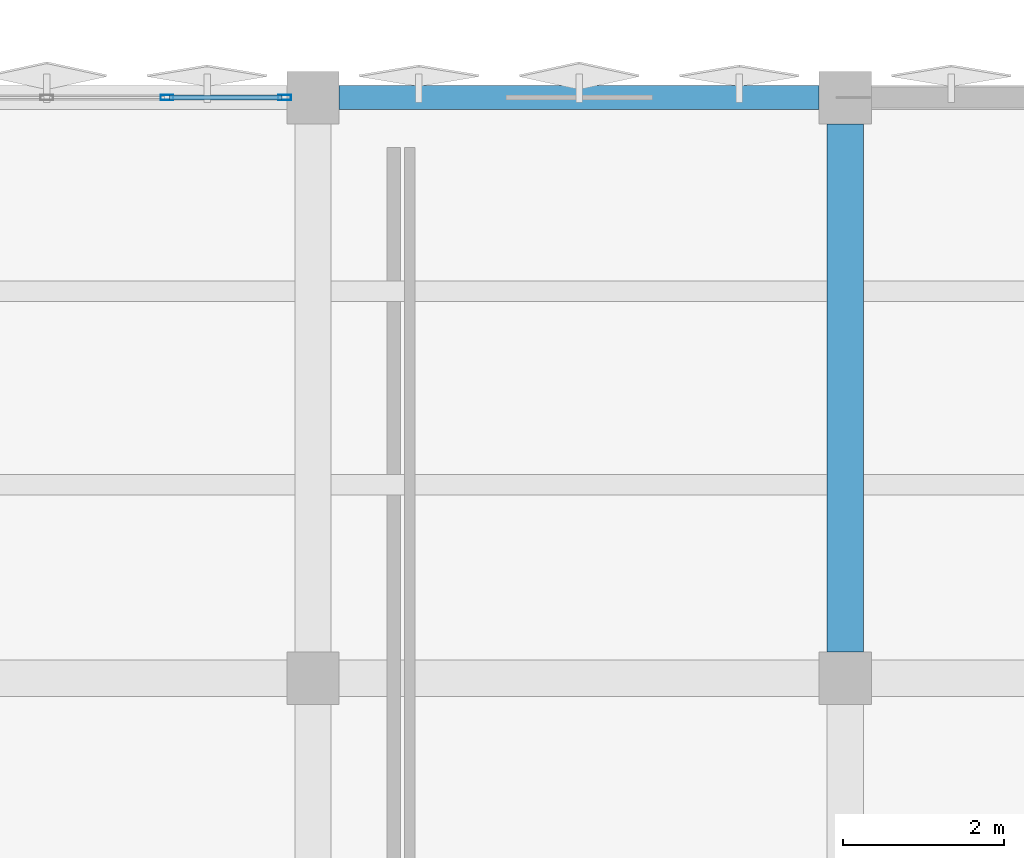
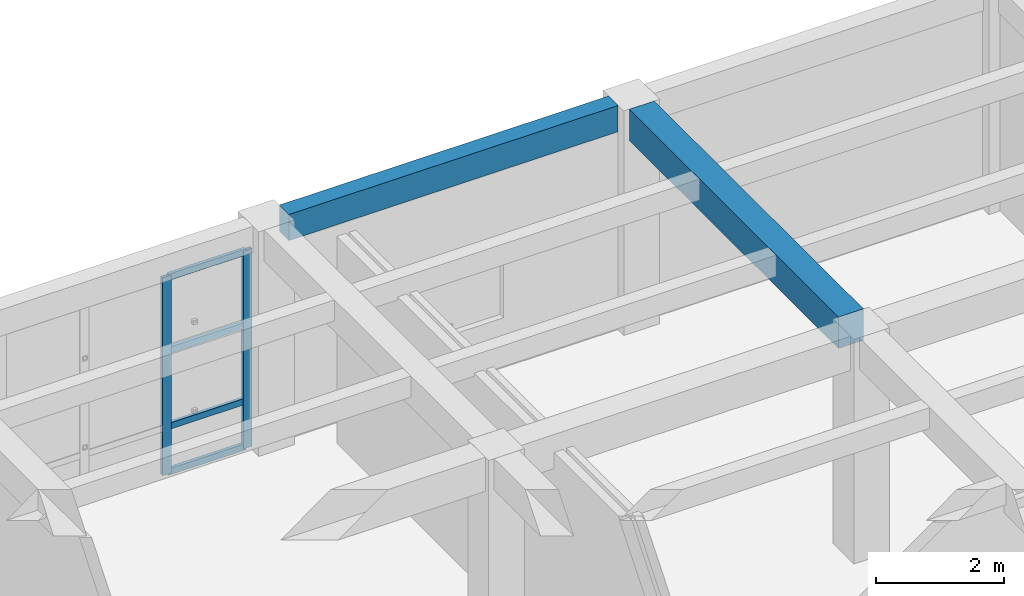
# One storey, part 25 of 48: 6 members, 2 beams, 1 element without a shape of its own.
"""IFC4 building model written with IfcOpenShell, lengths in metres."""

from ifc_helpers import new_model, si_unit, direction, frame, origin, origin_2d, place, context, subcontext, project, spatial, rectangle, hollow_rectangle, extrude, material, layer, layer_set, material_profile, profile_set, type_object, element, aggregate, save


model = new_model("IFC4")

# Units and contexts
model_context = context("Model", 3, precision=1e-05, world=origin(), true_north=direction((0.0, 1.0)))
body_context = subcontext(model_context, "Body", "Model", "MODEL_VIEW")
ifc_project = project(units=[si_unit("LENGTHUNIT", "METRE"), si_unit("AREAUNIT", "SQUARE_METRE"), si_unit("VOLUMEUNIT", "CUBIC_METRE"), si_unit("PLANEANGLEUNIT", "RADIAN"), si_unit("MASSUNIT", "GRAM", prefix="KILO")], contexts=[model_context])

# Site, building, storey
site_placement = place(None, origin())
site = spatial("IfcSite", under=ifc_project, at=site_placement, CompositionType="ELEMENT")
building_placement = place(site_placement, origin())
building = spatial("IfcBuilding", under=site, at=building_placement, Name="Kharisveld Research Institute", CompositionType="ELEMENT")
storey_placement = place(building_placement, frame((0.0, 0.0, 14.10009765625)))
storey = spatial("IfcBuildingStorey", under=building, at=storey_placement, Name="L03", CompositionType="ELEMENT", Elevation=14.10009765625)

# Beam
ifc_material_1 = material(Name="Concrete C40/50", Category="concrete")
ifc_material_profile_1 = material_profile(ifc_material_1, rectangle(XDim=0.449951171875, YDim=0.60009765625, at=origin_2d()))
ifc_profile_set_1 = profile_set([ifc_material_profile_1], Name="Concrete C40/50")
beam_type_1 = type_object("IfcBeamType", Name="BM_RC_450x600", PredefinedType="BEAM", material=ifc_profile_set_1)
beam_1_placement = place(storey_placement, frame((154.199951171875, 53.925048828125, 3.989990234375), z_axis=(0.0, 1.0, 0.0), x_axis=(-1.0, 0.0, 0.0)))
element("IfcBeam", 1, at=beam_1_placement, inside=storey, type_object=beam_type_1, Name="BM:V2:L03:V6_2", PredefinedType="BEAM", context=body_context, shape_type="SweptSolid", body=[
    extrude(rectangle(XDim=0.449951171875, YDim=0.60009765625, at=origin_2d()), origin(), (0.0, 0.0, 1.0), 6.550048828125),
])

# Curtain wall, members
ifc_material_2 = material(Name="Thermally Broken Aluminium Curtain Wall", Category="aluminium")
ifc_layer = layer(ifc_material_2, 0.159912109375)
ifc_layer_set = layer_set([ifc_layer], Name="CW_SYS_02")
curtain_wall_type = type_object("IfcCurtainWallType", Name="CW_SYS_02", PredefinedType="NOTDEFINED", material=ifc_layer_set)
curtain_wall_placement = place(storey_placement, origin())
curtain_wall = element("IfcCurtainWall", 2, at=curtain_wall_placement, inside=storey, type_object=curtain_wall_type, Name="CW:V2:L03:N4", PredefinedType="NOTDEFINED")
ifc_material_3 = material(Name="Anodised Aluminium AW-6063-T6", Category="aluminium")
ifc_material_profile_2 = material_profile(ifc_material_3, hollow_rectangle(XDim=0.06494140625, YDim=0.159912109375, WallThickness=0.00390625, at=origin_2d()))
ifc_profile_set_2 = profile_set([ifc_material_profile_2], Name="Anodised Aluminium AW-6063-T6")
member_type_1 = type_object("IfcMemberType", Name="CW_MUL_160", PredefinedType="MULLION", material=ifc_profile_set_2)
member_1_placement = place(storey_placement, frame((145.7900390625, 60.800048828125, 0.0), z_axis=(0.0, 0.0, 1.0), x_axis=(0.0, 1.0, 0.0)))
member_1 = element("IfcMember", 3, at=member_1_placement, type_object=member_type_1, Name="CW-02 mullion 4", PredefinedType="MULLION", context=body_context, shape_type="SweptSolid", body=[
    extrude(hollow_rectangle(XDim=0.06494140625, YDim=0.159912109375, WallThickness=0.00390625, at=origin_2d()), origin(), (0.0, 0.0, 1.0), 3.77978515625),
])
member_2_placement = place(storey_placement, frame((147.24755859375, 60.800048828125, 0.0), z_axis=(0.0, 0.0, 1.0), x_axis=(0.0, 1.0, 0.0)))
member_2 = element("IfcMember", 4, at=member_2_placement, type_object=member_type_1, Name="CW-02 mullion 5", PredefinedType="MULLION", context=body_context, shape_type="SweptSolid", body=[
    extrude(hollow_rectangle(XDim=0.06494140625, YDim=0.159912109375, WallThickness=0.00390625, at=origin_2d()), origin(), (0.0, 0.0, 1.0), 3.77978515625),
])
ifc_material_4 = material(Name="Anodised Aluminium AW-6063-T6", Category="aluminium")
ifc_material_profile_3 = material_profile(ifc_material_4, hollow_rectangle(XDim=0.06005859375, YDim=0.1201171875, WallThickness=0.00390625, at=origin_2d()))
ifc_profile_set_3 = profile_set([ifc_material_profile_3], Name="Anodised Aluminium AW-6063-T6")
member_type_2 = type_object("IfcMemberType", Name="CW_TRN_120", PredefinedType="USERDEFINED", material=ifc_profile_set_3)
member_3_placement = place(storey_placement, frame((145.822509765625, 60.800048828125, 0.02978515625), z_axis=(1.0, 0.0, 0.0), x_axis=(0.0, 1.0, 0.0)))
member_3 = element("IfcMember", 5, at=member_3_placement, type_object=member_type_2, Name="CW-02 transom 4.1", ObjectType="TRANSOM", PredefinedType="USERDEFINED", context=body_context, shape_type="SweptSolid", body=[
    extrude(hollow_rectangle(XDim=0.06005859375, YDim=0.1201171875, WallThickness=0.00390625, at=origin_2d()), origin(), (0.0, 0.0, 1.0), 1.392578125),
])
member_4_placement = place(storey_placement, frame((145.822509765625, 60.800048828125, 0.89990234375), z_axis=(1.0, 0.0, 0.0), x_axis=(0.0, 1.0, 0.0)))
member_4 = element("IfcMember", 6, at=member_4_placement, type_object=member_type_2, Name="CW-02 transom 4.2", ObjectType="TRANSOM", PredefinedType="USERDEFINED", context=body_context, shape_type="SweptSolid", body=[
    extrude(hollow_rectangle(XDim=0.06005859375, YDim=0.1201171875, WallThickness=0.00390625, at=origin_2d()), origin(), (0.0, 0.0, 1.0), 1.392578125),
])
member_5_placement = place(storey_placement, frame((145.822509765625, 60.800048828125, 2.349853515625), z_axis=(1.0, 0.0, 0.0), x_axis=(0.0, 1.0, 0.0)))
member_5 = element("IfcMember", 7, at=member_5_placement, type_object=member_type_2, Name="CW-02 transom 4.3", ObjectType="TRANSOM", PredefinedType="USERDEFINED", context=body_context, shape_type="SweptSolid", body=[
    extrude(hollow_rectangle(XDim=0.06005859375, YDim=0.1201171875, WallThickness=0.00390625, at=origin_2d()), origin(), (0.0, 0.0, 1.0), 1.392578125),
])
member_6_placement = place(storey_placement, frame((145.822509765625, 60.800048828125, 3.75), z_axis=(1.0, 0.0, 0.0), x_axis=(0.0, 1.0, 0.0)))
member_6 = element("IfcMember", 8, at=member_6_placement, type_object=member_type_2, Name="CW-02 transom 4.4", ObjectType="TRANSOM", PredefinedType="USERDEFINED", context=body_context, shape_type="SweptSolid", body=[
    extrude(hollow_rectangle(XDim=0.06005859375, YDim=0.1201171875, WallThickness=0.00390625, at=origin_2d()), origin(), (0.0, 0.0, 1.0), 1.392578125),
])
aggregate(curtain_wall, [member_1, member_2, member_3, member_4, member_5, member_6])

# Beam
ifc_material_5 = material(Name="Concrete C40/50", Category="concrete")
ifc_material_profile_4 = material_profile(ifc_material_5, rectangle(XDim=0.300048828125, YDim=0.5, at=origin_2d()))
ifc_profile_set_4 = profile_set([ifc_material_profile_4], Name="Concrete C40/50")
beam_type_2 = type_object("IfcBeamType", Name="SP_RC_300x500", PredefinedType="SPANDREL", material=ifc_profile_set_4)
beam_2_placement = place(storey_placement, frame((147.925048828125, 60.800048828125, 4.039794921875), z_axis=(1.0, 0.0, 0.0), x_axis=(0.0, 1.0, 0.0)))
element("IfcBeam", 9, at=beam_2_placement, inside=storey, type_object=beam_type_2, Name="BM:V2:L03:U5_3", PredefinedType="SPANDREL", context=body_context, shape_type="SweptSolid", body=[
    extrude(rectangle(XDim=0.300048828125, YDim=0.5, at=origin_2d()), origin(), (0.0, 0.0, 1.0), 5.949951171875),
])

save(model, "model.ifc")
